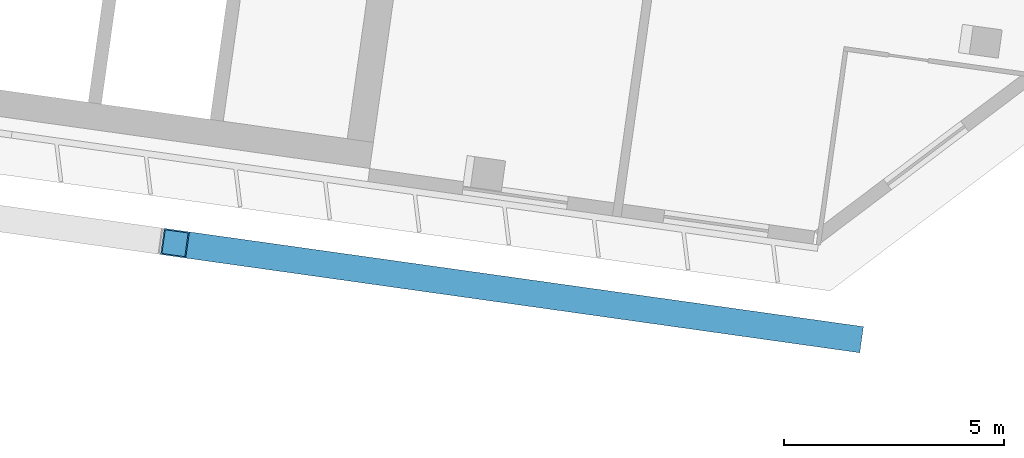
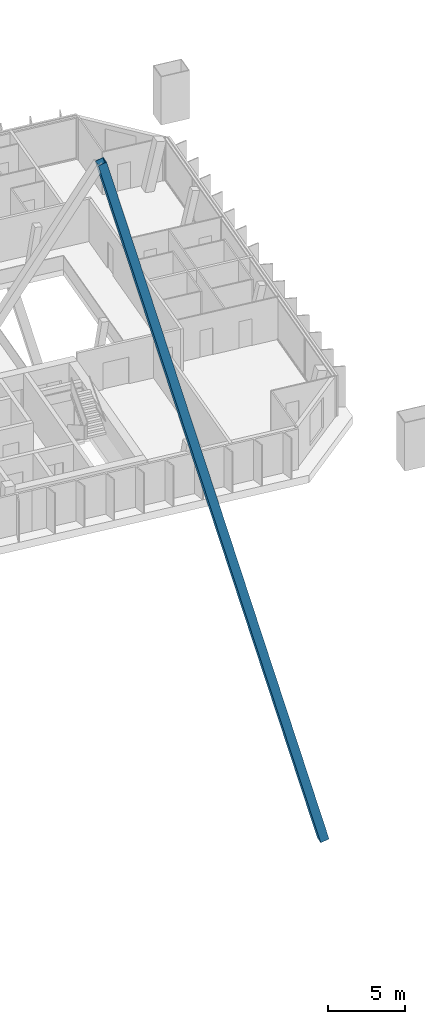
# One storey, part 3 of 28: 1 member.
"""IFC4 building model written with IfcOpenShell, lengths in metres."""

from ifc_helpers import new_model, si_unit, direction, frame, origin, origin_2d, place, context, subcontext, project, spatial, hollow_rectangle, extrude, material, material_profile, profile_set, type_object, element, save


model = new_model("IFC4")

# Units and contexts
model_context = context("Model", 3, precision=1e-05, world=origin(), true_north=direction((0.0, 1.0)))
body_context = subcontext(model_context, "Body", "Model", "MODEL_VIEW")
ifc_project = project(units=[si_unit("LENGTHUNIT", "METRE"), si_unit("AREAUNIT", "SQUARE_METRE"), si_unit("VOLUMEUNIT", "CUBIC_METRE"), si_unit("PLANEANGLEUNIT", "RADIAN"), si_unit("MASSUNIT", "GRAM", prefix="KILO")], contexts=[model_context])

# Site, building, storey
site_placement = place(None, origin())
site = spatial("IfcSite", under=ifc_project, at=site_placement, CompositionType="ELEMENT")
building_placement = place(site_placement, origin())
building = spatial("IfcBuilding", under=site, at=building_placement, Name="Mirante Cascada Hotel Towers", CompositionType="ELEMENT")
storey_placement = place(building_placement, frame((0.0, 0.0, 243.2)))
storey = spatial("IfcBuildingStorey", under=building, at=storey_placement, Name="L58", CompositionType="ELEMENT", Elevation=243.2)

# Member
ifc_material = material(Name="Steel ASTM A572 Gr 50", Category="steel")
ifc_material_profile = material_profile(ifc_material, hollow_rectangle(XDim=0.6, YDim=0.6, WallThickness=0.028, at=origin_2d()), Name="Box brace 600x600x28 ASTM A572 Gr 50")
ifc_profile_set = profile_set([ifc_material_profile], Name="Steel ASTM A572 Gr 50")
member_type = type_object("IfcMemberType", Name="Box brace 600x600x28 ASTM A572 Gr 50", PredefinedType="BRACE", material=ifc_profile_set)
member_placement = place(storey_placement, frame((-26.451, -23.7052, -27.9783), z_axis=(-0.2579295, 0.0362509, 0.9654834), x_axis=(-0.1391779, -0.9902674, 0.0)))
element("IfcMember", 1, at=member_placement, inside=storey, type_object=member_type, Name="brace T1 L58 3", PredefinedType="BRACE", context=body_context, shape_type="SweptSolid", body=[
    extrude(hollow_rectangle(XDim=0.6, YDim=0.6, WallThickness=0.028, at=origin_2d()), origin(), (0.0, 0.0, 1.0), 59.4523),
])

save(model, "model.ifc")
